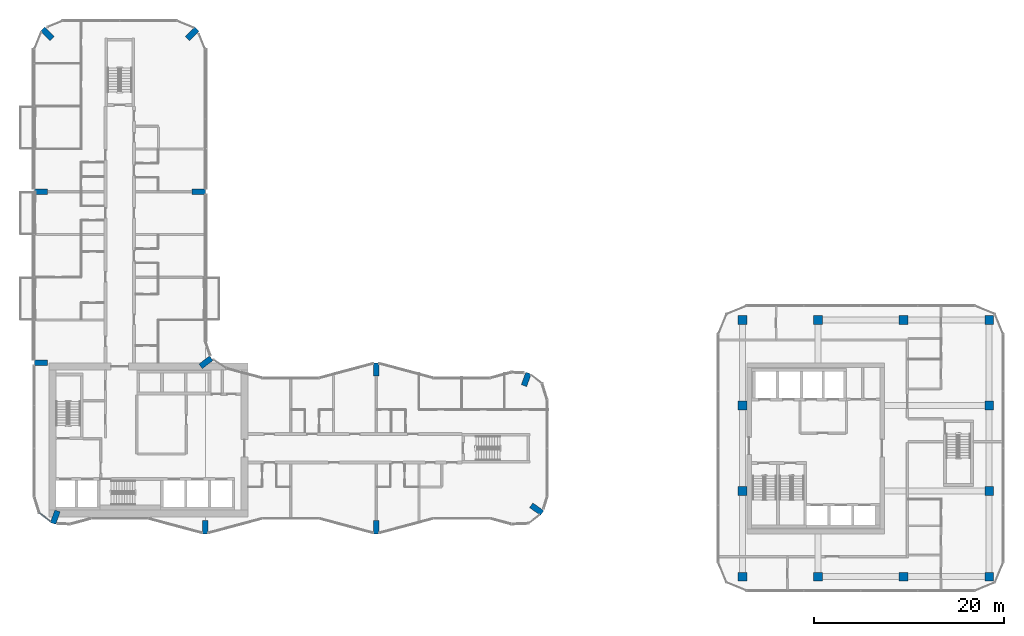
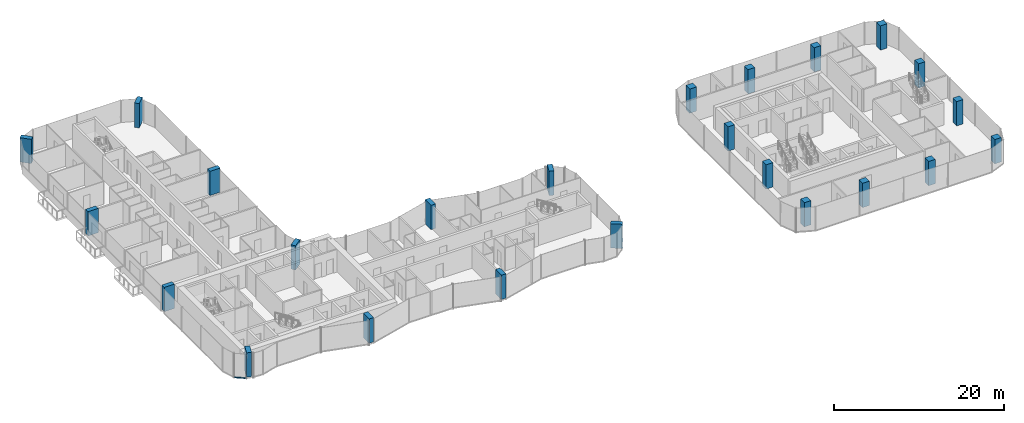
# One storey, part 1 of 22: 24 columns, 1 member, 1 element without a shape of its own.
"""IFC4 building model written with IfcOpenShell, lengths in metres."""

from ifc_helpers import new_model, si_unit, direction, frame, origin, origin_2d, place, context, subcontext, project, spatial, rectangle, extrude, material, layer, layer_set, material_profile, profile_set, type_object, element, aggregate, save


model = new_model("IFC4")

# Units and contexts
model_context = context("Model", 3, precision=1e-05, world=origin(), true_north=direction((0.0, 1.0)))
body_context = subcontext(model_context, "Body", "Model", "MODEL_VIEW")
ifc_project = project(units=[si_unit("LENGTHUNIT", "METRE"), si_unit("AREAUNIT", "SQUARE_METRE"), si_unit("VOLUMEUNIT", "CUBIC_METRE"), si_unit("PLANEANGLEUNIT", "RADIAN"), si_unit("MASSUNIT", "GRAM", prefix="KILO")], contexts=[model_context])

# Site, building, storey
site_placement = place(None, origin())
site = spatial("IfcSite", under=ifc_project, at=site_placement, CompositionType="ELEMENT")
building_placement = place(site_placement, origin())
building = spatial("IfcBuilding", under=site, at=building_placement, Name="Plateau Cross Towers", CompositionType="ELEMENT")
storey_placement = place(building_placement, frame((0.0, 0.0, 54.800048828125)))
storey = spatial("IfcBuildingStorey", under=building, at=storey_placement, Name="L13", CompositionType="ELEMENT", Elevation=54.800048828125)

# Columns
ifc_material_1 = material(Name="Concrete C60/75", Category="concrete")
ifc_material_profile_1 = material_profile(ifc_material_1, rectangle(XDim=0.60009765625, YDim=1.39990234375, at=origin_2d()), Name="RC 600x1400")
ifc_profile_set_1 = profile_set([ifc_material_profile_1], Name="Concrete C60/75")
column_type_1 = type_object("IfcColumnType", Name="Fin pier column RC 600x1400", PredefinedType="COLUMN", material=ifc_profile_set_1)
for number, where, z_axis, x_axis, name in (
    (1, (18.0, 0.699951171875, 0.0), (0.0, 0.0, 1.0), (1.0, 0.0, 0.0), "PR1 L13"),
    (2, (36.0, 0.699951171875, 0.0), (0.0, 0.0, 1.0), (1.0, 0.0, 0.0), "PR2 L13"),
    (3, (52.884033203125, 2.590087890625, 0.0), (0.0, 0.0, 1.0), (0.573542637991, 0.819175709117, 0.0), "PR3 L13"),
    (4, (51.786865234375, 16.251953125, 0.0), (0.0, 0.0, 1.0), (-0.939664280925, 0.342097996418, 0.0), "PR4 L13"),
    (5, (36.0, 17.300048828125, 0.0), (0.0, 0.0, 1.0), (1.0, 0.0, 0.0), "PR5 L13"),
    (6, (18.064697265625, 18.049560546875, 0.0), (0.0, 0.0, 1.0), (-0.608810846443, 0.793315418515, 0.0), "PR6 L13"),
    (7, (17.300048828125, 36.0, 0.0), (0.0, 0.0, 1.0), (0.0, 1.0, 0.0), "PR7 L13"),
    (8, (16.62646484375, 52.62646484375, 0.0), (0.0, 0.0, 1.0), (-0.707106781187, 0.707106781187, 0.0), "PR8 L13"),
    (9, (1.37353515625, 52.62646484375, 0.0), (0.0, 0.0, 1.0), (0.707106781187, 0.707106781187, 0.0), "PR9 L13"),
    (10, (0.699951171875, 36.0, 0.0), (0.0, 0.0, 1.0), (0.0, 1.0, 0.0), "PR10 L13"),
    (11, (0.699951171875, 18.0, 0.0), (0.0, 0.0, 1.0), (0.0, 1.0, 0.0), "PR11 L13"),
    (12, (2.213134765625, 1.748046875, 0.0), (0.0, 0.0, 1.0), (-0.939664280925, 0.342097996418, 0.0), "PR12 L13"),
):
    element("IfcColumn", number, at=place(storey_placement, frame(where, z_axis=z_axis, x_axis=x_axis)), inside=storey, type_object=column_type_1, Name=name, PredefinedType="COLUMN", context=body_context, shape_type="SweptSolid", body=[
        extrude(rectangle(XDim=0.60009765625, YDim=1.39990234375, at=origin_2d()), origin(), (0.0, 0.0, 1.0), 3.5),
    ])
ifc_material_profile_2 = material_profile(ifc_material_1, rectangle(XDim=0.89990234375, YDim=0.89990234375, at=origin_2d()), Name="RC 900x900")
ifc_profile_set_2 = profile_set([ifc_material_profile_2], Name="Concrete C60/75")
column_type_2 = type_object("IfcColumnType", Name="Office column RC 900x900", PredefinedType="COLUMN", material=ifc_profile_set_2)
for number, where, z_axis, x_axis, name in (
    (13, (74.550048828125, -4.5, 0.0), (0.0, 0.0, 1.0), (1.0, 0.0, 0.0), "B-C746_-45 L13"),
    (14, (82.5, -4.5, 0.0), (0.0, 0.0, 1.0), (1.0, 0.0, 0.0), "B-C825_-45 L13"),
    (15, (91.5, -4.5, 0.0), (0.0, 0.0, 1.0), (1.0, 0.0, 0.0), "B-C915_-45 L13"),
    (16, (100.5, -4.5, 0.0), (0.0, 0.0, 1.0), (1.0, 0.0, 0.0), "B-C1005_-45 L13"),
    (17, (100.5, 4.5, 0.0), (0.0, 0.0, 1.0), (1.0, 0.0, 0.0), "B-C1005_45 L13"),
    (18, (100.5, 13.5, 0.0), (0.0, 0.0, 1.0), (1.0, 0.0, 0.0), "B-C1005_135 L13"),
    (19, (100.5, 22.5, 0.0), (0.0, 0.0, 1.0), (1.0, 0.0, 0.0), "B-C1005_225 L13"),
    (20, (91.5, 22.5, 0.0), (0.0, 0.0, 1.0), (1.0, 0.0, 0.0), "B-C915_225 L13"),
    (21, (82.5, 22.5, 0.0), (0.0, 0.0, 1.0), (1.0, 0.0, 0.0), "B-C825_225 L13"),
    (22, (74.550048828125, 22.5, 0.0), (0.0, 0.0, 1.0), (1.0, 0.0, 0.0), "B-C746_225 L13"),
    (23, (74.550048828125, 13.5, 0.0), (0.0, 0.0, 1.0), (1.0, 0.0, 0.0), "B-C746_135 L13"),
    (24, (74.550048828125, 4.5, 0.0), (0.0, 0.0, 1.0), (1.0, 0.0, 0.0), "B-C746_45 L13"),
):
    element("IfcColumn", number, at=place(storey_placement, frame(where, z_axis=z_axis, x_axis=x_axis)), inside=storey, type_object=column_type_2, Name=name, PredefinedType="COLUMN", context=body_context, shape_type="SweptSolid", body=[
        extrude(rectangle(XDim=0.89990234375, YDim=0.89990234375, at=origin_2d()), origin(), (0.0, 0.0, 1.0), 3.5),
    ])

# Curtain wall, member
ifc_material_2 = material(Name="Dark low-iron glass", Category="glass")
ifc_layer = layer(ifc_material_2, 0.239990234375)
ifc_layer_set = layer_set([ifc_layer], Name="Dark low-iron glass")
curtain_wall_type = type_object("IfcCurtainWallType", Name="Curtain wall flush unitised CW-B", PredefinedType="NOTDEFINED", material=ifc_layer_set)
curtain_wall_placement = place(storey_placement, origin())
curtain_wall = element("IfcCurtainWall", 25, at=curtain_wall_placement, inside=storey, type_object=curtain_wall_type, Name="ENV/A/L13/A5_22", PredefinedType="NOTDEFINED")
ifc_material_3 = material(Name="Black anodised aluminium", Category="aluminium")
ifc_material_profile_3 = material_profile(ifc_material_3, rectangle(XDim=0.10009765625, YDim=0.1201171875, at=origin_2d()), Name="TRANSOM 100x120")
ifc_profile_set_3 = profile_set([ifc_material_profile_3], Name="Black anodised aluminium")
member_type = type_object("IfcMemberType", Name="Transom 100x120 flush unitised", PredefinedType="USERDEFINED", material=ifc_profile_set_3)
member_placement = place(storey_placement, frame((0.54248046875, 2.1884765625, -0.18994140625), z_axis=(0.793320508571, -0.608804213751, 0.0), x_axis=(0.608804213751, 0.793320508571, 0.0)))
member = element("IfcMember", 26, at=member_placement, type_object=member_type, Name="CW-B transom", ObjectType="TRANSOM", PredefinedType="USERDEFINED", context=body_context, shape_type="SweptSolid", body=[
    extrude(rectangle(XDim=0.10009765625, YDim=0.1201171875, at=origin_2d()), origin(), (0.0, 0.0, 1.0), 1.471435546875),
])
aggregate(curtain_wall, [member])

save(model, "model.ifc")
